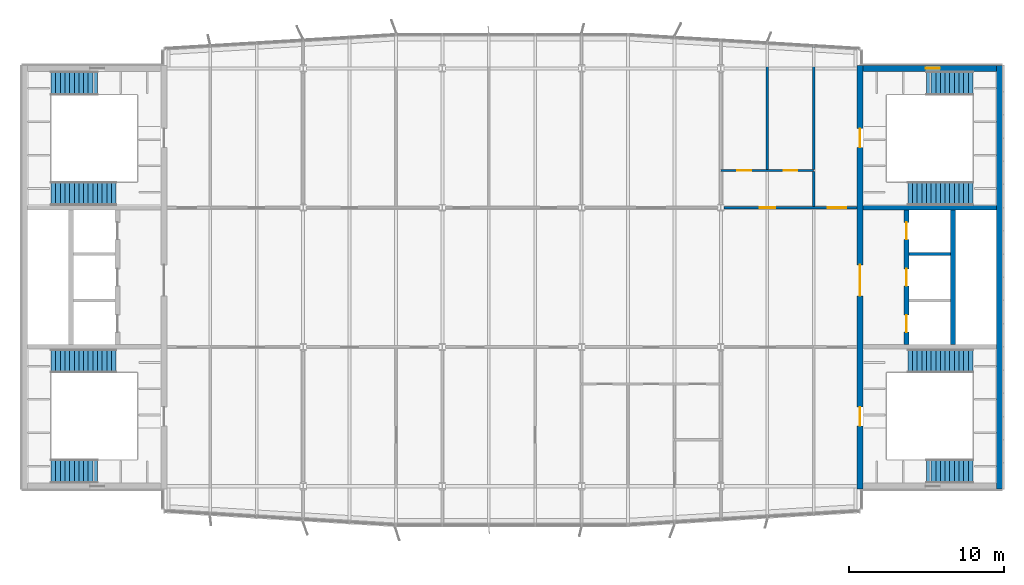
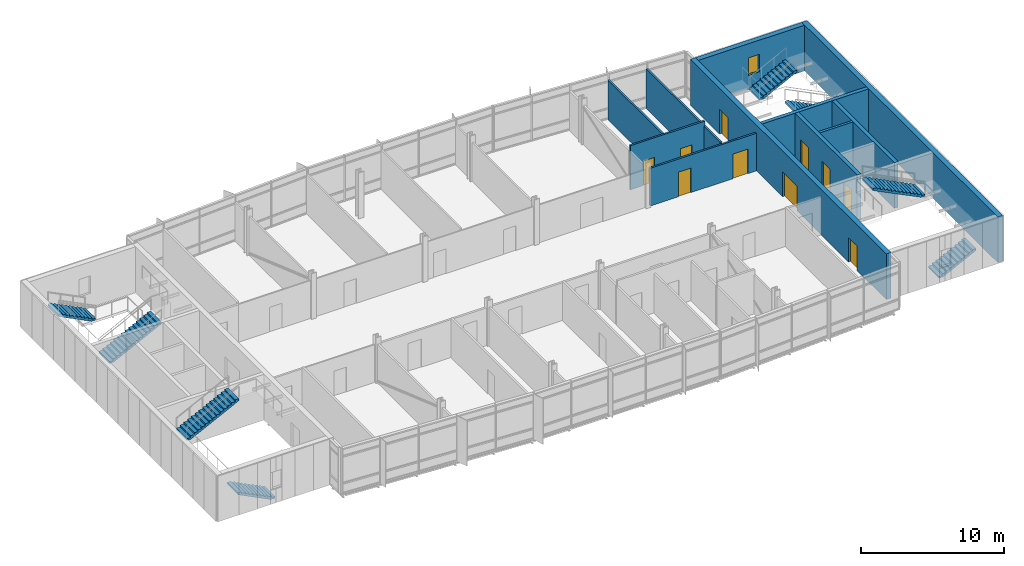
# One storey, part 13 of 17: 12 walls, 10 doors, 8 stair flights, 1 window, 11 openings, 4 elements without a shape of their own.
"""IFC4 building model written with IfcOpenShell, lengths in metres."""

from ifc_helpers import new_model, si_unit, direction, frame, frame_2d, origin, place, context, subcontext, project, spatial, polyline, rectangle, outline, extrude, material, layer, layer_set, type_object, element, fill, aggregate, save


model = new_model("IFC4")

# Units and contexts
model_context = context("Model", 3, precision=1e-05, world=origin(), true_north=direction((0.0, 1.0)))
body_context = subcontext(model_context, "Body", "Model", "MODEL_VIEW")
ifc_project = project(units=[si_unit("LENGTHUNIT", "METRE"), si_unit("AREAUNIT", "SQUARE_METRE"), si_unit("VOLUMEUNIT", "CUBIC_METRE"), si_unit("PLANEANGLEUNIT", "RADIAN"), si_unit("MASSUNIT", "GRAM", prefix="KILO")], contexts=[model_context])

# Site, building, storey
site_placement = place(None, origin())
site = spatial("IfcSite", under=ifc_project, at=site_placement, CompositionType="ELEMENT")
building_placement = place(site_placement, origin())
building = spatial("IfcBuilding", under=site, at=building_placement, Name="Azimuth Sports and Learning Centre", CompositionType="ELEMENT")
storey_placement = place(building_placement, frame((0.0, 0.0, 36.300048828125)))
storey = spatial("IfcBuildingStorey", under=building, at=storey_placement, Name="L07", CompositionType="ELEMENT", Elevation=36.300048828125)

# Wall
ifc_material_1 = material(Name="Dense masonry blockwork", Category="masonry")
ifc_layer_1 = layer(ifc_material_1, 0.199951171875)
ifc_layer_set_1 = layer_set([ifc_layer_1], Name="Dense masonry blockwork")
wall_type_1 = type_object("IfcWallType", Name="Blockwork wall 200 EI 120", PredefinedType="SOLIDWALL", material=ifc_layer_set_1)
wall_1_placement = place(storey_placement, frame((111.14990234375, 105.0, 0.0), z_axis=(0.0, 0.0, 1.0), x_axis=(1.0, 0.0, 0.0)))
element("IfcWall", 1, at=wall_1_placement, inside=storey, type_object=wall_type_1, Name="SD-E-2-L07", PredefinedType="SOLIDWALL", context=body_context, shape_type="SweptSolid", body=[
    extrude(rectangle(XDim=2.7001953125, YDim=0.199951171875, at=frame_2d((1.35009765625, 0.0))), origin(), (0.0, 0.0, 1.0), 3.89990234375),
])

# Wall, openings, doors
ifc_material_2 = material(Name="Lightweight blockwork, rendered", Category="masonry")
ifc_layer_2 = layer(ifc_material_2, 0.14990234375)
ifc_layer_set_2 = layer_set([ifc_layer_2], Name="Lightweight blockwork, rendered")
wall_type_2 = type_object("IfcWallType", Name="Partition 150 EI 60", PredefinedType="PARTITIONING", material=ifc_layer_set_2)
wall_2_placement = place(storey_placement, frame((99.2060546875, 108.0, 0.0), z_axis=(0.0, 0.0, 1.0), x_axis=(1.0, 0.0, 0.0)))
wall_2 = element("IfcWall", 2, at=wall_2_placement, inside=storey, type_object=wall_type_2, Name="Partition Stair Lobby E2 07.04 / WC Lobby 07.23", PredefinedType="PARTITIONING", context=body_context, shape_type="SweptSolid", body=[
    extrude(rectangle(XDim=8.593994140625, YDim=0.14990234375, at=frame_2d((4.296875, 0.0))), origin(), (0.0, 0.0, 1.0), 3.219970703125),
])
opening_1_placement = place(wall_2_placement, frame((6.694091796875, 0.0, 0.0)))
opening_1 = element("IfcOpeningElement", 3, at=opening_1_placement, cuts=wall_2, Name="Opening D07-014", PredefinedType="OPENING", context=body_context, shape_type="SweptSolid", body=[
    extrude(rectangle(XDim=1.199951171875, YDim=2.10009765625, at=frame_2d((0.60009765625, 1.050048828125))), frame((0.0, 0.0859375, 0.0), z_axis=(0.0, -1.0, 0.0), x_axis=(1.0, 0.0, 0.0)), (0.0, 0.0, 1.0), 0.171875),
])
opening_2_placement = place(wall_2_placement, frame((2.2939453125, 0.0, 0.0)))
opening_2 = element("IfcOpeningElement", 4, at=opening_2_placement, cuts=wall_2, Name="Opening D07-027", PredefinedType="OPENING", context=body_context, shape_type="SweptSolid", body=[
    extrude(rectangle(XDim=1.0, YDim=2.10009765625, at=frame_2d((0.5, 1.050048828125))), frame((0.0, 0.0859375, 0.0), z_axis=(0.0, -1.0, 0.0), x_axis=(1.0, 0.0, 0.0)), (0.0, 0.0, 1.0), 0.171875),
])
ifc_material_3 = material(Name="Painted steel door set", Category="steel")
door_type_1 = type_object("IfcDoorType", Name="Fire door FD60 1000 x 2100", OperationType="NOTDEFINED", PredefinedType="DOOR", material=ifc_material_3)
door_1_placement = place(opening_2_placement, origin())
door_1 = element("IfcDoor", 5, at=door_1_placement, inside=storey, type_object=door_type_1, Name="Door WC Lobby 07.23 / Learning Street", OperationType="SINGLE_SWING_LEFT", OverallHeight=2.10009765625, OverallWidth=1.0, PredefinedType="DOOR", context=body_context, shape_type="SweptSolid", body=[
    extrude(rectangle(XDim=1.0, YDim=2.10009765625, at=frame_2d((0.5, 1.050048828125))), frame((0.0, 0.02490234375, 0.0), z_axis=(0.0, -1.0, 0.0), x_axis=(1.0, 0.0, 0.0)), (0.0, 0.0, 1.0), 0.050048828125),
])
fill(opening_2, door_1)
ifc_material_4 = material(Name="Painted steel door set", Category="steel")
door_type_2 = type_object("IfcDoorType", Name="Fire door FD60 1200 x 2100", OperationType="NOTDEFINED", PredefinedType="DOOR", material=ifc_material_4)
door_2_placement = place(opening_1_placement, origin())
door_2 = element("IfcDoor", 6, at=door_2_placement, inside=storey, type_object=door_type_2, Name="Door Stair Lobby E2 07.04 / Learning Street", OperationType="SINGLE_SWING_RIGHT", OverallHeight=2.10009765625, OverallWidth=1.199951171875, PredefinedType="DOOR", context=body_context, shape_type="SweptSolid", body=[
    extrude(rectangle(XDim=1.199951171875, YDim=2.10009765625, at=frame_2d((0.60009765625, 1.050048828125))), frame((0.0, 0.02490234375, 0.0), z_axis=(0.0, -1.0, 0.0), x_axis=(1.0, 0.0, 0.0)), (0.0, 0.0, 1.0), 0.050048828125),
])
fill(opening_1, door_2)

wall_3_placement = place(storey_placement, frame((99.0, 110.39990234375, 0.0), z_axis=(0.0, 0.0, 1.0), x_axis=(1.0, 0.0, 0.0)))
wall_3 = element("IfcWall", 7, at=wall_3_placement, inside=storey, type_object=wall_type_2, Name="Partition WC Lobby 07.23 / Men WC 07.24", PredefinedType="PARTITIONING", context=body_context, shape_type="SweptSolid", body=[
    extrude(rectangle(XDim=6.0, YDim=0.14990234375, at=frame_2d((3.0, 0.0))), origin(), (0.0, 0.0, 1.0), 3.77001953125),
])
opening_3_placement = place(wall_3_placement, frame((1.050048828125, 0.0, 0.0)))
opening_3 = element("IfcOpeningElement", 8, at=opening_3_placement, cuts=wall_3, Name="Opening D07-034", PredefinedType="OPENING", context=body_context, shape_type="SweptSolid", body=[
    extrude(rectangle(XDim=0.89990234375, YDim=2.10009765625, at=frame_2d((0.449951171875, 1.050048828125))), frame((0.0, 0.0859375, 0.0), z_axis=(0.0, -1.0, 0.0), x_axis=(1.0, 0.0, 0.0)), (0.0, 0.0, 1.0), 0.171875),
])
opening_4_placement = place(wall_3_placement, frame((4.050048828125, 0.0, 0.0)))
opening_4 = element("IfcOpeningElement", 9, at=opening_4_placement, cuts=wall_3, Name="Opening D07-035", PredefinedType="OPENING", context=body_context, shape_type="SweptSolid", body=[
    extrude(rectangle(XDim=0.89990234375, YDim=2.10009765625, at=frame_2d((0.449951171875, 1.050048828125))), frame((0.0, 0.0859375, 0.0), z_axis=(0.0, -1.0, 0.0), x_axis=(1.0, 0.0, 0.0)), (0.0, 0.0, 1.0), 0.171875),
])
ifc_material_5 = material(Name="Painted steel door set", Category="steel")
door_type_3 = type_object("IfcDoorType", Name="Fire door FD60 900 x 2100", OperationType="NOTDEFINED", PredefinedType="DOOR", material=ifc_material_5)
door_3_placement = place(opening_3_placement, frame((0.89990234375, 0.0, 0.0), z_axis=(0.0, 0.0, 1.0), x_axis=(-1.0, 0.0, 0.0)))
door_3 = element("IfcDoor", 10, at=door_3_placement, inside=storey, type_object=door_type_3, Name="Door WC Lobby 07.23 / Men WC 07.24", OperationType="SINGLE_SWING_RIGHT", OverallHeight=2.10009765625, OverallWidth=0.89990234375, PredefinedType="DOOR", context=body_context, shape_type="SweptSolid", body=[
    extrude(rectangle(XDim=0.89990234375, YDim=2.10009765625, at=frame_2d((0.449951171875, 1.050048828125))), frame((0.0, 0.02490234375, 0.0), z_axis=(0.0, -1.0, 0.0), x_axis=(1.0, 0.0, 0.0)), (0.0, 0.0, 1.0), 0.050048828125),
])
fill(opening_3, door_3)
door_4_placement = place(opening_4_placement, frame((0.89990234375, 0.0, 0.0), z_axis=(0.0, 0.0, 1.0), x_axis=(-1.0, 0.0, 0.0)))
door_4 = element("IfcDoor", 11, at=door_4_placement, inside=storey, type_object=door_type_3, Name="Door WC Lobby 07.23 / Women WC 07.25", OperationType="SINGLE_SWING_LEFT", OverallHeight=2.10009765625, OverallWidth=0.89990234375, PredefinedType="DOOR", context=body_context, shape_type="SweptSolid", body=[
    extrude(rectangle(XDim=0.89990234375, YDim=2.10009765625, at=frame_2d((0.449951171875, 1.050048828125))), frame((0.0, 0.02490234375, 0.0), z_axis=(0.0, -1.0, 0.0), x_axis=(1.0, 0.0, 0.0)), (0.0, 0.0, 1.0), 0.050048828125),
])
fill(opening_4, door_4)

# Walls
wall_4_placement = place(storey_placement, frame((102.0, 110.47509765625, 0.0), z_axis=(0.0, 0.0, 1.0), x_axis=(0.0, 1.0, 0.0)))
element("IfcWall", 12, at=wall_4_placement, inside=storey, type_object=wall_type_2, Name="Partition Men WC 07.24 / Women WC 07.25", PredefinedType="PARTITIONING", context=body_context, shape_type="SweptSolid", body=[
    extrude(rectangle(XDim=8.0849609375, YDim=0.14990234375, at=frame_2d((4.04248046875, 0.0))), origin(), (0.0, 0.0, 1.0), 3.369873046875),
])
wall_5_placement = place(storey_placement, frame((105.0, 108.074951171875, 0.0), z_axis=(0.0, 0.0, 1.0), x_axis=(0.0, 1.0, 0.0)))
element("IfcWall", 13, at=wall_5_placement, inside=storey, type_object=wall_type_2, Name="Partition Stair Lobby E2 07.04 / WC Lobby 07.23", PredefinedType="PARTITIONING", context=body_context, shape_type="SweptSolid", body=[
    extrude(rectangle(XDim=2.25, YDim=0.14990234375, at=frame_2d((1.125, 0.0))), origin(), (0.0, 0.0, 1.0), 3.369873046875),
])
wall_6_placement = place(storey_placement, frame((105.0, 110.47509765625, 0.0), z_axis=(0.0, 0.0, 1.0), x_axis=(0.0, 1.0, 0.0)))
element("IfcWall", 14, at=wall_6_placement, inside=storey, type_object=wall_type_2, Name="Partition Stair Lobby E2 07.04 / WC Lobby 07.23", PredefinedType="PARTITIONING", context=body_context, shape_type="SweptSolid", body=[
    extrude(rectangle(XDim=7.90478515625, YDim=0.14990234375, at=frame_2d((3.952392578125, 0.0))), origin(), (0.0, 0.0, 1.0), 3.369873046875),
])
ifc_material_6 = material(Name="Concrete C40/50", Category="concrete")
ifc_layer_3 = layer(ifc_material_6, 0.300048828125)
ifc_layer_set_3 = layer_set([ifc_layer_3], Name="Concrete C40/50")
wall_type_3 = type_object("IfcWallType", Name="RC core wall 300", PredefinedType="SHEAR", material=ifc_layer_set_3)
wall_7_placement = place(storey_placement, frame((108.199951171875, 108.0, 0.0), z_axis=(0.0, 0.0, 1.0), x_axis=(1.0, 0.0, 0.0)))
element("IfcWall", 15, at=wall_7_placement, inside=storey, type_object=wall_type_3, Name="Core wall E D2 L07", PredefinedType="SHEAR", context=body_context, shape_type="SweptSolid", body=[
    extrude(rectangle(XDim=8.60009765625, YDim=0.300048828125, at=frame_2d((4.300048828125, 0.0))), origin(), (0.0, 0.0, 1.0), 3.89990234375),
])

# Wall, openings, doors
wall_8_placement = place(storey_placement, frame((111.0, 99.14990234375, 0.0), z_axis=(0.0, 0.0, 1.0), x_axis=(0.0, 1.0, 0.0)))
wall_8 = element("IfcWall", 16, at=wall_8_placement, inside=storey, type_object=wall_type_3, Name="Core wall E LB1 L07", PredefinedType="SHEAR", context=body_context, shape_type="SweptSolid", body=[
    extrude(rectangle(XDim=8.7001953125, YDim=0.300048828125, at=frame_2d((4.35009765625, 0.0))), origin(), (0.0, 0.0, 1.0), 3.89990234375),
])
opening_5_placement = place(wall_8_placement, frame((0.800048828125, 0.0, 0.0)))
opening_5 = element("IfcOpeningElement", 17, at=opening_5_placement, cuts=wall_8, Name="Opening D07-008", PredefinedType="OPENING", context=body_context, shape_type="SweptSolid", body=[
    extrude(rectangle(XDim=1.10009765625, YDim=2.10009765625, at=frame_2d((0.550048828125, 1.050048828125))), frame((0.0, 0.1611328125, 0.0), z_axis=(0.0, -1.0, 0.0), x_axis=(1.0, 0.0, 0.0)), (0.0, 0.0, 1.0), 0.322021484375),
])
opening_6_placement = place(wall_8_placement, frame((3.800048828125, 0.0, 0.0)))
opening_6 = element("IfcOpeningElement", 18, at=opening_6_placement, cuts=wall_8, Name="Opening D07-009", PredefinedType="OPENING", context=body_context, shape_type="SweptSolid", body=[
    extrude(rectangle(XDim=1.10009765625, YDim=2.10009765625, at=frame_2d((0.550048828125, 1.050048828125))), frame((0.0, 0.1611328125, 0.0), z_axis=(0.0, -1.0, 0.0), x_axis=(1.0, 0.0, 0.0)), (0.0, 0.0, 1.0), 0.322021484375),
])
opening_7_placement = place(wall_8_placement, frame((6.800048828125, 0.0, 0.0)))
opening_7 = element("IfcOpeningElement", 19, at=opening_7_placement, cuts=wall_8, Name="Opening D07-010", PredefinedType="OPENING", context=body_context, shape_type="SweptSolid", body=[
    extrude(rectangle(XDim=1.10009765625, YDim=2.10009765625, at=frame_2d((0.550048828125, 1.050048828125))), frame((0.0, 0.1611328125, 0.0), z_axis=(0.0, -1.0, 0.0), x_axis=(1.0, 0.0, 0.0)), (0.0, 0.0, 1.0), 0.322021484375),
])
ifc_material_7 = material(Name="Stainless steel", Category="steel")
door_type_4 = type_object("IfcDoorType", Name="Lift landing door 1100 x 2100", OperationType="DOUBLE_DOOR_SLIDING", PredefinedType="DOOR", material=ifc_material_7)
door_5_placement = place(opening_5_placement, origin())
door_5 = element("IfcDoor", 20, at=door_5_placement, inside=storey, type_object=door_type_4, Name="Landing door LE1 L07", OperationType="DOUBLE_DOOR_SLIDING", OverallHeight=2.10009765625, OverallWidth=1.10009765625, PredefinedType="DOOR", context=body_context, shape_type="SweptSolid", body=[
    extrude(rectangle(XDim=1.10009765625, YDim=2.10009765625, at=frame_2d((0.550048828125, 1.050048828125))), frame((0.0, 0.02490234375, 0.0), z_axis=(0.0, -1.0, 0.0), x_axis=(1.0, 0.0, 0.0)), (0.0, 0.0, 1.0), 0.050048828125),
])
fill(opening_5, door_5)
door_6_placement = place(opening_6_placement, origin())
door_6 = element("IfcDoor", 21, at=door_6_placement, inside=storey, type_object=door_type_4, Name="Landing door LE2 L07", OperationType="DOUBLE_DOOR_SLIDING", OverallHeight=2.10009765625, OverallWidth=1.10009765625, PredefinedType="DOOR", context=body_context, shape_type="SweptSolid", body=[
    extrude(rectangle(XDim=1.10009765625, YDim=2.10009765625, at=frame_2d((0.550048828125, 1.050048828125))), frame((0.0, 0.02490234375, 0.0), z_axis=(0.0, -1.0, 0.0), x_axis=(1.0, 0.0, 0.0)), (0.0, 0.0, 1.0), 0.050048828125),
])
fill(opening_6, door_6)
door_7_placement = place(opening_7_placement, origin())
door_7 = element("IfcDoor", 22, at=door_7_placement, inside=storey, type_object=door_type_4, Name="Landing door LE3 L07", OperationType="DOUBLE_DOOR_SLIDING", OverallHeight=2.10009765625, OverallWidth=1.10009765625, PredefinedType="DOOR", context=body_context, shape_type="SweptSolid", body=[
    extrude(rectangle(XDim=1.10009765625, YDim=2.10009765625, at=frame_2d((0.550048828125, 1.050048828125))), frame((0.0, 0.02490234375, 0.0), z_axis=(0.0, -1.0, 0.0), x_axis=(1.0, 0.0, 0.0)), (0.0, 0.0, 1.0), 0.050048828125),
])
fill(opening_7, door_7)

# Wall
wall_9_placement = place(storey_placement, frame((114.0, 99.14990234375, 0.0), z_axis=(0.0, 0.0, 1.0), x_axis=(0.0, 1.0, 0.0)))
element("IfcWall", 23, at=wall_9_placement, inside=storey, type_object=wall_type_3, Name="Core wall E LB2 L07", PredefinedType="SHEAR", context=body_context, shape_type="SweptSolid", body=[
    extrude(rectangle(XDim=8.7001953125, YDim=0.300048828125, at=frame_2d((4.35009765625, 0.0))), origin(), (0.0, 0.0, 1.0), 3.89990234375),
])

# Wall, openings, doors
ifc_material_8 = material(Name="Concrete C40/50", Category="concrete")
ifc_layer_4 = layer(ifc_material_8, 0.39990234375)
ifc_layer_set_4 = layer_set([ifc_layer_4], Name="Concrete C40/50")
wall_type_4 = type_object("IfcWallType", Name="RC core wall 400", PredefinedType="SHEAR", material=ifc_layer_set_4)
wall_10_placement = place(storey_placement, frame((108.0, 89.800048828125, 0.0), z_axis=(0.0, 0.0, 1.0), x_axis=(0.0, 1.0, 0.0)))
wall_10 = element("IfcWall", 24, at=wall_10_placement, inside=storey, type_object=wall_type_4, Name="Core wall E W L07", PredefinedType="SHEAR", context=body_context, shape_type="SweptSolid", body=[
    extrude(rectangle(XDim=27.39990234375, YDim=0.39990234375, at=frame_2d((13.699951171875, 0.0))), origin(), (0.0, 0.0, 1.0), 3.89990234375),
])
opening_8_placement = place(wall_10_placement, frame((4.10009765625, 0.0, 0.0)))
opening_8 = element("IfcOpeningElement", 25, at=opening_8_placement, cuts=wall_10, Name="Opening D07-003", PredefinedType="OPENING", context=body_context, shape_type="SweptSolid", body=[
    extrude(rectangle(XDim=1.199951171875, YDim=2.10009765625, at=frame_2d((0.60009765625, 1.050048828125))), frame((0.0, 0.2109375, 0.0), z_axis=(0.0, -1.0, 0.0), x_axis=(1.0, 0.0, 0.0)), (0.0, 0.0, 1.0), 0.421875),
])
opening_9_placement = place(wall_10_placement, frame((22.10009765625, 0.0, 0.0)))
opening_9 = element("IfcOpeningElement", 26, at=opening_9_placement, cuts=wall_10, Name="Opening D07-004", PredefinedType="OPENING", context=body_context, shape_type="SweptSolid", body=[
    extrude(rectangle(XDim=1.199951171875, YDim=2.10009765625, at=frame_2d((0.60009765625, 1.050048828125))), frame((0.0, 0.2109375, 0.0), z_axis=(0.0, -1.0, 0.0), x_axis=(1.0, 0.0, 0.0)), (0.0, 0.0, 1.0), 0.421875),
])
opening_10_placement = place(wall_10_placement, frame((12.5, 0.0, 0.0)))
opening_10 = element("IfcOpeningElement", 27, at=opening_10_placement, cuts=wall_10, Name="Opening D07-037", PredefinedType="OPENING", context=body_context, shape_type="SweptSolid", body=[
    extrude(rectangle(XDim=2.0, YDim=2.10009765625, at=frame_2d((1.0, 1.050048828125))), frame((0.0, 0.2109375, 0.0), z_axis=(0.0, -1.0, 0.0), x_axis=(1.0, 0.0, 0.0)), (0.0, 0.0, 1.0), 0.421875),
])
ifc_material_9 = material(Name="Painted steel door set", Category="steel")
door_type_5 = type_object("IfcDoorType", Name="Fire door FD120 2000 x 2100 double leaf", OperationType="DOUBLE_DOOR_SINGLE_SWING", PredefinedType="DOOR", material=ifc_material_9)
door_8_placement = place(opening_10_placement, frame((2.0, 0.0, 0.0), z_axis=(0.0, 0.0, 1.0), x_axis=(-1.0, 0.0, 0.0)))
door_8 = element("IfcDoor", 28, at=door_8_placement, inside=storey, type_object=door_type_5, Name="Door Lift Lobby E 07.06 / Learning Street", OperationType="DOUBLE_DOOR_SINGLE_SWING", OverallHeight=2.10009765625, OverallWidth=2.0, PredefinedType="DOOR", context=body_context, shape_type="SweptSolid", body=[
    extrude(rectangle(XDim=2.0, YDim=2.10009765625, at=frame_2d((1.0, 1.050048828125))), frame((0.0, 0.02490234375, 0.0), z_axis=(0.0, -1.0, 0.0), x_axis=(1.0, 0.0, 0.0)), (0.0, 0.0, 1.0), 0.050048828125),
])
fill(opening_10, door_8)
ifc_material_10 = material(Name="Steel", Category="steel")
door_type_6 = type_object("IfcDoorType", Name="Stair fire door 1200 x 2100", OperationType="NOTDEFINED", PredefinedType="DOOR", material=ifc_material_10)
door_9_placement = place(opening_8_placement, frame((1.199951171875, 0.0, 0.0), z_axis=(0.0, 0.0, 1.0), x_axis=(-1.0, 0.0, 0.0)))
door_9 = element("IfcDoor", 29, at=door_9_placement, inside=storey, type_object=door_type_6, Name="Stair door E1 L07", OperationType="SINGLE_SWING_RIGHT", OverallHeight=2.10009765625, OverallWidth=1.199951171875, PredefinedType="DOOR", context=body_context, shape_type="SweptSolid", body=[
    extrude(rectangle(XDim=1.199951171875, YDim=2.10009765625, at=frame_2d((0.60009765625, 1.050048828125))), frame((0.0, 0.02490234375, 0.0), z_axis=(0.0, -1.0, 0.0), x_axis=(1.0, 0.0, 0.0)), (0.0, 0.0, 1.0), 0.050048828125),
])
fill(opening_8, door_9)
door_10_placement = place(opening_9_placement, frame((1.199951171875, 0.0, 0.0), z_axis=(0.0, 0.0, 1.0), x_axis=(-1.0, 0.0, 0.0)))
door_10 = element("IfcDoor", 30, at=door_10_placement, inside=storey, type_object=door_type_6, Name="Stair door E2 L07", OperationType="SINGLE_SWING_RIGHT", OverallHeight=2.10009765625, OverallWidth=1.199951171875, PredefinedType="DOOR", context=body_context, shape_type="SweptSolid", body=[
    extrude(rectangle(XDim=1.199951171875, YDim=2.10009765625, at=frame_2d((0.60009765625, 1.050048828125))), frame((0.0, 0.02490234375, 0.0), z_axis=(0.0, -1.0, 0.0), x_axis=(1.0, 0.0, 0.0)), (0.0, 0.0, 1.0), 0.050048828125),
])
fill(opening_9, door_10)

# Wall, opening, window
ifc_material_11 = material(Name="Concrete C40/50", Category="concrete")
ifc_layer_5 = layer(ifc_material_11, 0.39990234375)
ifc_layer_set_5 = layer_set([ifc_layer_5], Name="Concrete C40/50")
wall_type_5 = type_object("IfcWallType", Name="RC external core wall 400", PredefinedType="SHEAR", material=ifc_layer_set_5)
wall_11_placement = place(storey_placement, frame((108.199951171875, 117.0, 0.0), z_axis=(0.0, 0.0, 1.0), x_axis=(1.0, 0.0, 0.0)))
wall_11 = element("IfcWall", 31, at=wall_11_placement, inside=storey, type_object=wall_type_5, Name="Core wall E N L07", PredefinedType="SHEAR", context=body_context, shape_type="SweptSolid", body=[
    extrude(rectangle(XDim=8.60009765625, YDim=0.39990234375, at=frame_2d((4.300048828125, 0.0))), origin(), (0.0, 0.0, 1.0), 3.89990234375),
])
opening_11_placement = place(wall_11_placement, frame((4.050048828125, 0.0, 1.199951171875)))
opening_11 = element("IfcOpeningElement", 32, at=opening_11_placement, cuts=wall_11, Name="Opening W07-003", PredefinedType="OPENING", context=body_context, shape_type="SweptSolid", body=[
    extrude(rectangle(XDim=0.89990234375, YDim=1.5, at=frame_2d((0.449951171875, 0.75))), frame((0.0, 0.2109375, 0.0), z_axis=(0.0, -1.0, 0.0), x_axis=(1.0, 0.0, 0.0)), (0.0, 0.0, 1.0), 0.421875),
])
ifc_material_12 = material(Name="Aluminium and glass", Category="aluminium")
window_type = type_object("IfcWindowType", Name="Stair window tower core 900x1500", PartitioningType="SINGLE_PANEL", PredefinedType="WINDOW", material=ifc_material_12)
window_placement = place(opening_11_placement, origin())
window = element("IfcWindow", 33, at=window_placement, inside=storey, type_object=window_type, Name="Window W07-003", OverallHeight=1.5, OverallWidth=0.89990234375, PartitioningType="SINGLE_PANEL", PredefinedType="WINDOW", context=body_context, shape_type="SweptSolid", body=[
    extrude(rectangle(XDim=0.89990234375, YDim=1.5, at=frame_2d((0.449951171875, 0.75))), frame((0.0, 0.030029296875, 0.0), z_axis=(0.0, -1.0, 0.0), x_axis=(1.0, 0.0, 0.0)), (0.0, 0.0, 1.0), 0.06005859375),
])
fill(opening_11, window)

# Wall
wall_12_placement = place(storey_placement, frame((117.0, 89.800048828125, 0.0), z_axis=(0.0, 0.0, 1.0), x_axis=(0.0, 1.0, 0.0)))
element("IfcWall", 34, at=wall_12_placement, inside=storey, type_object=wall_type_5, Name="Core wall E E L07", PredefinedType="SHEAR", context=body_context, shape_type="SweptSolid", body=[
    extrude(rectangle(XDim=27.39990234375, YDim=0.39990234375, at=frame_2d((13.699951171875, 0.0))), origin(), (0.0, 0.0, 1.0), 3.89990234375),
])

# Stair, stair flight
ifc_material_13 = material(Name="Concrete C32/40", Category="concrete")
stair_type = type_object("IfcStairType", Name="Square-well stair core 3900 storey", PredefinedType="THREE_QUARTER_TURN_STAIR", material=ifc_material_13)
stair_1_placement = place(storey_placement, origin())
stair_1 = element("IfcStair", 35, at=stair_1_placement, inside=storey, type_object=stair_type, Name="Stair W1 L07-L08", PredefinedType="THREE_QUARTER_TURN_STAIR")
ifc_material_14 = material(Name="Concrete C32/40", Category="concrete")
stair_flight_type_1 = type_object("IfcStairFlightType", Name="Stair flight 11 risers", PredefinedType="STRAIGHT", material=ifc_material_14)
stair_flight_1_placement = place(storey_placement, frame((58.7099609375, 90.9599609375, 0.0), z_axis=(0.0, 0.0, 1.0), x_axis=(-1.0, 0.0, 0.0)))
stair_flight_1 = element("IfcStairFlight", 36, at=stair_flight_1_placement, type_object=stair_flight_type_1, Name="Stair W1 L07 flight 1", NumberOfRisers=11, NumberOfTreads=10, PredefinedType="STRAIGHT", RiserHeight=0.15, TreadLength=0.3, context=body_context, shape_type="SweptSolid", body=[
    extrude(outline(polyline([(0.0, 0.0), (0.0, 0.14990234375), (0.300048828125, 0.14990234375), (0.300048828125, 0.300048828125), (0.60009765625, 0.300048828125), (0.60009765625, 0.449951171875), (0.89990234375, 0.449951171875), (0.89990234375, 0.60009765625), (1.199951171875, 0.60009765625), (1.199951171875, 0.75), (1.5, 0.75), (1.5, 0.89990234375), (1.800048828125, 0.89990234375), (1.800048828125, 1.050048828125), (2.10009765625, 1.050048828125), (2.10009765625, 1.199951171875), (2.39990234375, 1.199951171875), (2.39990234375, 1.35009765625), (2.699951171875, 1.35009765625), (2.699951171875, 1.5), (3.0, 1.5), (3.0, 1.64990234375), (3.0, 1.33251953125), (0.335205078125, 0.0), (0.0, 0.0)])), frame((0.0, 0.75, 0.0), z_axis=(0.0, -1.0, 0.0), x_axis=(1.0, 0.0, 0.0)), (0.0, 0.0, 1.0), 1.5),
])

stair_2_placement = place(storey_placement, origin())
stair_2 = element("IfcStair", 37, at=stair_2_placement, inside=storey, type_object=stair_type, Name="Stair W2 L07-L08", PredefinedType="THREE_QUARTER_TURN_STAIR")
stair_flight_2_placement = place(storey_placement, frame((58.7099609375, 116.0400390625, 0.0), z_axis=(0.0, 0.0, 1.0), x_axis=(-1.0, 0.0, 0.0)))
stair_flight_2 = element("IfcStairFlight", 38, at=stair_flight_2_placement, type_object=stair_flight_type_1, Name="Stair W2 L07 flight 1", NumberOfRisers=11, NumberOfTreads=10, PredefinedType="STRAIGHT", RiserHeight=0.15, TreadLength=0.3, context=body_context, shape_type="SweptSolid", body=[
    extrude(outline(polyline([(0.0, 0.0), (0.0, 0.14990234375), (0.300048828125, 0.14990234375), (0.300048828125, 0.300048828125), (0.60009765625, 0.300048828125), (0.60009765625, 0.449951171875), (0.89990234375, 0.449951171875), (0.89990234375, 0.60009765625), (1.199951171875, 0.60009765625), (1.199951171875, 0.75), (1.5, 0.75), (1.5, 0.89990234375), (1.800048828125, 0.89990234375), (1.800048828125, 1.050048828125), (2.10009765625, 1.050048828125), (2.10009765625, 1.199951171875), (2.39990234375, 1.199951171875), (2.39990234375, 1.35009765625), (2.699951171875, 1.35009765625), (2.699951171875, 1.5), (3.0, 1.5), (3.0, 1.64990234375), (3.0, 1.33251953125), (0.335205078125, 0.0), (0.0, 0.0)])), frame((0.0, 0.75, 0.0), z_axis=(0.0, -1.0, 0.0), x_axis=(1.0, 0.0, 0.0)), (0.0, 0.0, 1.0), 1.5),
])

stair_3_placement = place(storey_placement, origin())
stair_3 = element("IfcStair", 39, at=stair_3_placement, inside=storey, type_object=stair_type, Name="Stair E1 L07-L08", PredefinedType="THREE_QUARTER_TURN_STAIR")
stair_flight_3_placement = place(storey_placement, frame((112.2900390625, 90.9599609375, 0.0), z_axis=(0.0, 0.0, 1.0), x_axis=(1.0, 0.0, 0.0)))
stair_flight_3 = element("IfcStairFlight", 40, at=stair_flight_3_placement, type_object=stair_flight_type_1, Name="Stair E1 L07 flight 1", NumberOfRisers=11, NumberOfTreads=10, PredefinedType="STRAIGHT", RiserHeight=0.15, TreadLength=0.3, context=body_context, shape_type="SweptSolid", body=[
    extrude(outline(polyline([(0.0, 0.0), (0.0, 0.14990234375), (0.300048828125, 0.14990234375), (0.300048828125, 0.300048828125), (0.60009765625, 0.300048828125), (0.60009765625, 0.449951171875), (0.89990234375, 0.449951171875), (0.89990234375, 0.60009765625), (1.199951171875, 0.60009765625), (1.199951171875, 0.75), (1.5, 0.75), (1.5, 0.89990234375), (1.800048828125, 0.89990234375), (1.800048828125, 1.050048828125), (2.10009765625, 1.050048828125), (2.10009765625, 1.199951171875), (2.39990234375, 1.199951171875), (2.39990234375, 1.35009765625), (2.699951171875, 1.35009765625), (2.699951171875, 1.5), (3.0, 1.5), (3.0, 1.64990234375), (3.0, 1.33251953125), (0.335205078125, 0.0), (0.0, 0.0)])), frame((0.0, 0.75, 0.0), z_axis=(0.0, -1.0, 0.0), x_axis=(1.0, 0.0, 0.0)), (0.0, 0.0, 1.0), 1.5),
])

stair_4_placement = place(storey_placement, origin())
stair_4 = element("IfcStair", 41, at=stair_4_placement, inside=storey, type_object=stair_type, Name="Stair E2 L07-L08", PredefinedType="THREE_QUARTER_TURN_STAIR")
stair_flight_4_placement = place(storey_placement, frame((112.2900390625, 116.0400390625, 0.0), z_axis=(0.0, 0.0, 1.0), x_axis=(1.0, 0.0, 0.0)))
stair_flight_4 = element("IfcStairFlight", 42, at=stair_flight_4_placement, type_object=stair_flight_type_1, Name="Stair E2 L07 flight 1", NumberOfRisers=11, NumberOfTreads=10, PredefinedType="STRAIGHT", RiserHeight=0.15, TreadLength=0.3, context=body_context, shape_type="SweptSolid", body=[
    extrude(outline(polyline([(0.0, 0.0), (0.0, 0.14990234375), (0.300048828125, 0.14990234375), (0.300048828125, 0.300048828125), (0.60009765625, 0.300048828125), (0.60009765625, 0.449951171875), (0.89990234375, 0.449951171875), (0.89990234375, 0.60009765625), (1.199951171875, 0.60009765625), (1.199951171875, 0.75), (1.5, 0.75), (1.5, 0.89990234375), (1.800048828125, 0.89990234375), (1.800048828125, 1.050048828125), (2.10009765625, 1.050048828125), (2.10009765625, 1.199951171875), (2.39990234375, 1.199951171875), (2.39990234375, 1.35009765625), (2.699951171875, 1.35009765625), (2.699951171875, 1.5), (3.0, 1.5), (3.0, 1.64990234375), (3.0, 1.33251953125), (0.335205078125, 0.0), (0.0, 0.0)])), frame((0.0, 0.75, 0.0), z_axis=(0.0, -1.0, 0.0), x_axis=(1.0, 0.0, 0.0)), (0.0, 0.0, 1.0), 1.5),
])

# Stair flight
ifc_material_15 = material(Name="Concrete C32/40", Category="concrete")
stair_flight_type_2 = type_object("IfcStairFlightType", Name="Stair flight 15 risers", PredefinedType="STRAIGHT", material=ifc_material_15)
stair_flight_5_placement = place(storey_placement, frame((55.7099609375, 98.090087890625, 1.64990234375), z_axis=(0.0, 0.0, 1.0), x_axis=(1.0, 0.0, 0.0)))
stair_flight_5 = element("IfcStairFlight", 43, at=stair_flight_5_placement, type_object=stair_flight_type_2, Name="Stair W1 L07 flight 2", NumberOfRisers=15, NumberOfTreads=14, PredefinedType="STRAIGHT", RiserHeight=0.15, TreadLength=0.3, context=body_context, shape_type="SweptSolid", body=[
    extrude(outline(polyline([(0.0, 0.0), (0.0, 0.14990234375), (0.300048828125, 0.14990234375), (0.300048828125, 0.300048828125), (0.60009765625, 0.300048828125), (0.60009765625, 0.449951171875), (0.89990234375, 0.449951171875), (0.89990234375, 0.60009765625), (1.199951171875, 0.60009765625), (1.199951171875, 0.75), (1.5, 0.75), (1.5, 0.89990234375), (1.800048828125, 0.89990234375), (1.800048828125, 1.050048828125), (2.10009765625, 1.050048828125), (2.10009765625, 1.199951171875), (2.39990234375, 1.199951171875), (2.39990234375, 1.35009765625), (2.699951171875, 1.35009765625), (2.699951171875, 1.5), (3.0, 1.5), (3.0, 1.64990234375), (3.300048828125, 1.64990234375), (3.300048828125, 1.800048828125), (3.60009765625, 1.800048828125), (3.60009765625, 1.949951171875), (3.89990234375, 1.949951171875), (3.89990234375, 2.10009765625), (4.199951171875, 2.10009765625), (4.199951171875, 2.25), (4.199951171875, 1.932373046875), (0.335205078125, 0.0), (0.0, 0.0)])), frame((0.0, 0.75, 0.0), z_axis=(0.0, -1.0, 0.0), x_axis=(1.0, 0.0, 0.0)), (0.0, 0.0, 1.0), 1.5),
])

aggregate(stair_1, [stair_flight_1, stair_flight_5])

stair_flight_6_placement = place(storey_placement, frame((55.7099609375, 108.909912109375, 1.64990234375), z_axis=(0.0, 0.0, 1.0), x_axis=(1.0, 0.0, 0.0)))
stair_flight_6 = element("IfcStairFlight", 44, at=stair_flight_6_placement, type_object=stair_flight_type_2, Name="Stair W2 L07 flight 2", NumberOfRisers=15, NumberOfTreads=14, PredefinedType="STRAIGHT", RiserHeight=0.15, TreadLength=0.3, context=body_context, shape_type="SweptSolid", body=[
    extrude(outline(polyline([(0.0, 0.0), (0.0, 0.14990234375), (0.300048828125, 0.14990234375), (0.300048828125, 0.300048828125), (0.60009765625, 0.300048828125), (0.60009765625, 0.449951171875), (0.89990234375, 0.449951171875), (0.89990234375, 0.60009765625), (1.199951171875, 0.60009765625), (1.199951171875, 0.75), (1.5, 0.75), (1.5, 0.89990234375), (1.800048828125, 0.89990234375), (1.800048828125, 1.050048828125), (2.10009765625, 1.050048828125), (2.10009765625, 1.199951171875), (2.39990234375, 1.199951171875), (2.39990234375, 1.35009765625), (2.699951171875, 1.35009765625), (2.699951171875, 1.5), (3.0, 1.5), (3.0, 1.64990234375), (3.300048828125, 1.64990234375), (3.300048828125, 1.800048828125), (3.60009765625, 1.800048828125), (3.60009765625, 1.949951171875), (3.89990234375, 1.949951171875), (3.89990234375, 2.10009765625), (4.199951171875, 2.10009765625), (4.199951171875, 2.25), (4.199951171875, 1.932373046875), (0.335205078125, 0.0), (0.0, 0.0)])), frame((0.0, 0.75, 0.0), z_axis=(0.0, -1.0, 0.0), x_axis=(1.0, 0.0, 0.0)), (0.0, 0.0, 1.0), 1.5),
])

aggregate(stair_2, [stair_flight_2, stair_flight_6])

stair_flight_7_placement = place(storey_placement, frame((115.2900390625, 98.090087890625, 1.64990234375), z_axis=(0.0, 0.0, 1.0), x_axis=(-1.0, 0.0, 0.0)))
stair_flight_7 = element("IfcStairFlight", 45, at=stair_flight_7_placement, type_object=stair_flight_type_2, Name="Stair E1 L07 flight 2", NumberOfRisers=15, NumberOfTreads=14, PredefinedType="STRAIGHT", RiserHeight=0.15, TreadLength=0.3, context=body_context, shape_type="SweptSolid", body=[
    extrude(outline(polyline([(0.0, 0.0), (0.0, 0.14990234375), (0.300048828125, 0.14990234375), (0.300048828125, 0.300048828125), (0.60009765625, 0.300048828125), (0.60009765625, 0.449951171875), (0.89990234375, 0.449951171875), (0.89990234375, 0.60009765625), (1.199951171875, 0.60009765625), (1.199951171875, 0.75), (1.5, 0.75), (1.5, 0.89990234375), (1.800048828125, 0.89990234375), (1.800048828125, 1.050048828125), (2.10009765625, 1.050048828125), (2.10009765625, 1.199951171875), (2.39990234375, 1.199951171875), (2.39990234375, 1.35009765625), (2.699951171875, 1.35009765625), (2.699951171875, 1.5), (3.0, 1.5), (3.0, 1.64990234375), (3.300048828125, 1.64990234375), (3.300048828125, 1.800048828125), (3.60009765625, 1.800048828125), (3.60009765625, 1.949951171875), (3.89990234375, 1.949951171875), (3.89990234375, 2.10009765625), (4.199951171875, 2.10009765625), (4.199951171875, 2.25), (4.199951171875, 1.932373046875), (0.335205078125, 0.0), (0.0, 0.0)])), frame((0.0, 0.75, 0.0), z_axis=(0.0, -1.0, 0.0), x_axis=(1.0, 0.0, 0.0)), (0.0, 0.0, 1.0), 1.5),
])

aggregate(stair_3, [stair_flight_3, stair_flight_7])

stair_flight_8_placement = place(storey_placement, frame((115.2900390625, 108.909912109375, 1.64990234375), z_axis=(0.0, 0.0, 1.0), x_axis=(-1.0, 0.0, 0.0)))
stair_flight_8 = element("IfcStairFlight", 46, at=stair_flight_8_placement, type_object=stair_flight_type_2, Name="Stair E2 L07 flight 2", NumberOfRisers=15, NumberOfTreads=14, PredefinedType="STRAIGHT", RiserHeight=0.15, TreadLength=0.3, context=body_context, shape_type="SweptSolid", body=[
    extrude(outline(polyline([(0.0, 0.0), (0.0, 0.14990234375), (0.300048828125, 0.14990234375), (0.300048828125, 0.300048828125), (0.60009765625, 0.300048828125), (0.60009765625, 0.449951171875), (0.89990234375, 0.449951171875), (0.89990234375, 0.60009765625), (1.199951171875, 0.60009765625), (1.199951171875, 0.75), (1.5, 0.75), (1.5, 0.89990234375), (1.800048828125, 0.89990234375), (1.800048828125, 1.050048828125), (2.10009765625, 1.050048828125), (2.10009765625, 1.199951171875), (2.39990234375, 1.199951171875), (2.39990234375, 1.35009765625), (2.699951171875, 1.35009765625), (2.699951171875, 1.5), (3.0, 1.5), (3.0, 1.64990234375), (3.300048828125, 1.64990234375), (3.300048828125, 1.800048828125), (3.60009765625, 1.800048828125), (3.60009765625, 1.949951171875), (3.89990234375, 1.949951171875), (3.89990234375, 2.10009765625), (4.199951171875, 2.10009765625), (4.199951171875, 2.25), (4.199951171875, 1.932373046875), (0.335205078125, 0.0), (0.0, 0.0)])), frame((0.0, 0.75, 0.0), z_axis=(0.0, -1.0, 0.0), x_axis=(1.0, 0.0, 0.0)), (0.0, 0.0, 1.0), 1.5),
])

aggregate(stair_4, [stair_flight_4, stair_flight_8])

save(model, "model.ifc")
